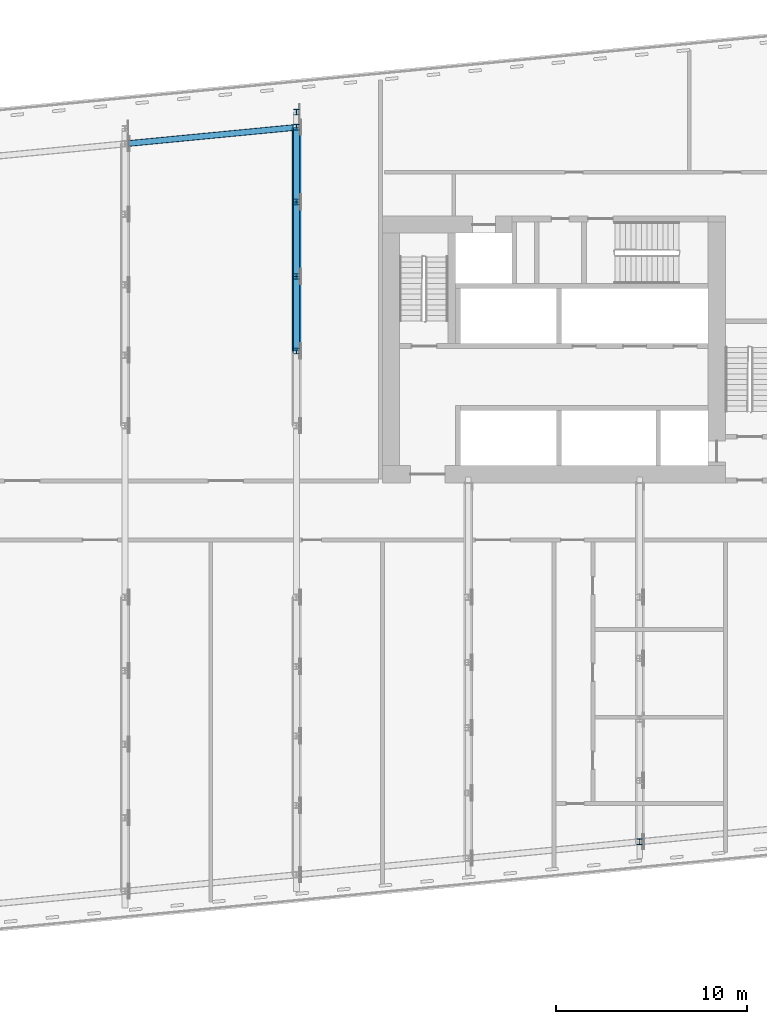
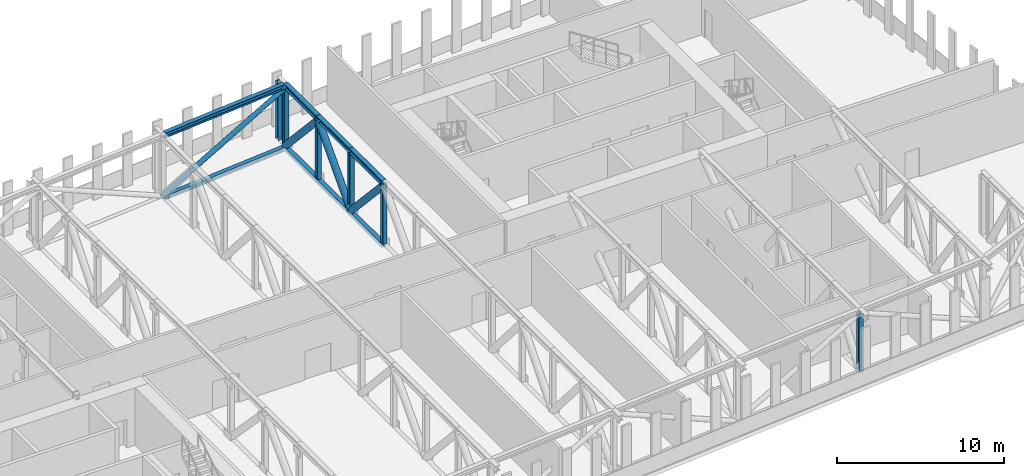
# One storey, part 5 of 22: 18 members.
"""IFC4 building model written with IfcOpenShell, lengths in metres."""

from ifc_helpers import new_model, si_unit, direction, frame, origin, origin_2d, place, context, subcontext, project, spatial, hollow_circle, i_section, extrude, material, material_profile, profile_set, type_object, element, save


model = new_model("IFC4")

# Units and contexts
model_context = context("Model", 3, precision=1e-05, world=origin(), true_north=direction((0.0, 1.0)))
body_context = subcontext(model_context, "Body", "Model", "MODEL_VIEW")
ifc_project = project(units=[si_unit("LENGTHUNIT", "METRE"), si_unit("AREAUNIT", "SQUARE_METRE"), si_unit("VOLUMEUNIT", "CUBIC_METRE"), si_unit("PLANEANGLEUNIT", "RADIAN"), si_unit("MASSUNIT", "GRAM", prefix="KILO")], contexts=[model_context])

# Site, building, storey
site_placement = place(None, origin())
site = spatial("IfcSite", under=ifc_project, at=site_placement, CompositionType="ELEMENT")
building_placement = place(site_placement, origin())
building = spatial("IfcBuilding", under=site, at=building_placement, Name="Kajstack Hotel Tower", CompositionType="ELEMENT")
storey_placement = place(building_placement, frame((0.0, 0.0, 150.39990234375)))
storey = spatial("IfcBuildingStorey", under=building, at=storey_placement, Name="L35", CompositionType="ELEMENT", Elevation=150.39990234375)

# Members
ifc_material = material(Name="Steel S355J2", Category="steel")
ifc_material_profile_1 = material_profile(ifc_material, i_section(OverallWidth=0.300048828125, OverallDepth=0.2900390625, WebThickness=0.008544921875, FlangeThickness=0.013916015625, FilletRadius=0.027099609375, at=origin_2d()), Name="HEA 300")
ifc_profile_set_1 = profile_set([ifc_material_profile_1], Name="Steel S355J2")
member_type_1 = type_object("IfcMemberType", Name="Belt truss bottom chord BB3 HEA 300", PredefinedType="CHORD", material=ifc_profile_set_1)
member_1_placement = place(storey_placement, frame((0.1494140625, 19.303955078125, -0.14501953125), z_axis=(0.995398174412, 0.095825228294, 0.0), x_axis=(-0.095825228294, 0.995398174412, 0.0)))
element("IfcMember", 1, at=member_1_placement, inside=storey, type_object=member_type_1, Name="S-belt-truss-L35-n05-b", PredefinedType="CHORD", context=body_context, shape_type="SweptSolid", body=[
    extrude(i_section(OverallWidth=0.300048828125, OverallDepth=0.2900390625, WebThickness=0.008544921875, FlangeThickness=0.013916015625, FilletRadius=0.027099609375, at=origin_2d()), origin(), (0.0, 0.0, 1.0), 8.741455078125),
])
ifc_material_profile_2 = material_profile(ifc_material, i_section(OverallWidth=0.300048828125, OverallDepth=0.2900390625, WebThickness=0.008544921875, FlangeThickness=0.013916015625, FilletRadius=0.027099609375, at=origin_2d()), Name="HEA 300")
ifc_profile_set_2 = profile_set([ifc_material_profile_2], Name="Steel S355J2")
member_type_2 = type_object("IfcMemberType", Name="Belt truss bottom chord BC3 HEA 300", PredefinedType="CHORD", material=ifc_profile_set_2)
member_2_placement = place(storey_placement, frame((9.0, 8.4140625, -0.14501953125), z_axis=(0.0, 1.0, 0.0), x_axis=(-1.0, 0.0, 0.0)))
element("IfcMember", 2, at=member_2_placement, inside=storey, type_object=member_type_2, Name="S-belt-truss-L35-+9p0-1-bc18", PredefinedType="CHORD", context=body_context, shape_type="SweptSolid", body=[
    extrude(i_section(OverallWidth=0.300048828125, OverallDepth=0.2900390625, WebThickness=0.008544921875, FlangeThickness=0.013916015625, FilletRadius=0.027099609375, at=origin_2d()), origin(), (0.0, 0.0, 1.0), 3.913818359375),
])
member_3_placement = place(storey_placement, frame((9.0, 12.327880859375, -0.14501953125), z_axis=(0.0, 1.0, 0.0), x_axis=(-1.0, 0.0, 0.0)))
element("IfcMember", 3, at=member_3_placement, inside=storey, type_object=member_type_2, Name="S-belt-truss-L35-+9p0-1-bc19", PredefinedType="CHORD", context=body_context, shape_type="SweptSolid", body=[
    extrude(i_section(OverallWidth=0.300048828125, OverallDepth=0.2900390625, WebThickness=0.008544921875, FlangeThickness=0.013916015625, FilletRadius=0.027099609375, at=origin_2d()), origin(), (0.0, 0.0, 1.0), 3.914306640625),
])
member_4_placement = place(storey_placement, frame((9.0, 16.2421875, -0.14501953125), z_axis=(0.0, 1.0, 0.0), x_axis=(-1.0, 0.0, 0.0)))
element("IfcMember", 4, at=member_4_placement, inside=storey, type_object=member_type_2, Name="S-belt-truss-L35-+9p0-1-bc20", PredefinedType="CHORD", context=body_context, shape_type="SweptSolid", body=[
    extrude(i_section(OverallWidth=0.300048828125, OverallDepth=0.2900390625, WebThickness=0.008544921875, FlangeThickness=0.013916015625, FilletRadius=0.027099609375, at=origin_2d()), origin(), (0.0, 0.0, 1.0), 3.913818359375),
])
ifc_material_profile_3 = material_profile(ifc_material, hollow_circle(Radius=0.161865234375, WallThickness=0.012451171875, at=origin_2d()), Name="CHS 323.9x12.5")
ifc_profile_set_3 = profile_set([ifc_material_profile_3], Name="Steel S355J2")
member_type_3 = type_object("IfcMemberType", Name="Belt truss diagonal BD3 CHS 323.9x12.5", PredefinedType="BRACE", material=ifc_profile_set_3)
member_5_placement = place(storey_placement, frame((0.0, 19.28955078125, 0.0), z_axis=(0.901225320661, 0.086763472847, 0.424576284286), x_axis=(-0.095829714309, 0.995397742541, 0.0)))
element("IfcMember", 5, at=member_5_placement, inside=storey, type_object=member_type_3, Name="S-belt-truss-L35-n05-d", PredefinedType="BRACE", context=body_context, shape_type="SweptSolid", body=[
    extrude(hollow_circle(Radius=0.161865234375, WallThickness=0.012451171875, at=origin_2d()), origin(), (0.0, 0.0, 1.0), 9.986328125),
])
ifc_material_profile_4 = material_profile(ifc_material, hollow_circle(Radius=0.228515625, WallThickness=0.02001953125, at=origin_2d()), Name="CHS 457x20")
ifc_profile_set_4 = profile_set([ifc_material_profile_4], Name="Steel S355J2")
member_type_4 = type_object("IfcMemberType", Name="Belt truss diagonal DG3 CHS 457x20", PredefinedType="BRACE", material=ifc_profile_set_4)
member_6_placement = place(storey_placement, frame((9.0, 12.327880859375, 0.0), z_axis=(0.0, -0.678278345429, 0.73480506675), x_axis=(1.0, 0.0, 0.0)))
element("IfcMember", 6, at=member_6_placement, inside=storey, type_object=member_type_4, Name="S-belt-truss-L35-+9p0-1-dg38", PredefinedType="BRACE", context=body_context, shape_type="SweptSolid", body=[
    extrude(hollow_circle(Radius=0.228515625, WallThickness=0.02001953125, at=origin_2d()), origin(), (0.0, 0.0, 1.0), 5.770263671875),
])
member_7_placement = place(storey_placement, frame((9.0, 12.327880859375, 0.0), z_axis=(0.0, 0.678324031544, 0.734762892524), x_axis=(-1.0, 0.0, 0.0)))
element("IfcMember", 7, at=member_7_placement, inside=storey, type_object=member_type_4, Name="S-belt-truss-L35-+9p0-1-dg39", PredefinedType="BRACE", context=body_context, shape_type="SweptSolid", body=[
    extrude(hollow_circle(Radius=0.228515625, WallThickness=0.02001953125, at=origin_2d()), origin(), (0.0, 0.0, 1.0), 5.7705078125),
])
member_8_placement = place(storey_placement, frame((9.0, 20.156005859375, 0.0), z_axis=(0.0, -0.678278345429, 0.73480506675), x_axis=(1.0, 0.0, 0.0)))
element("IfcMember", 8, at=member_8_placement, inside=storey, type_object=member_type_4, Name="S-belt-truss-L35-+9p0-1-dg40", PredefinedType="BRACE", context=body_context, shape_type="SweptSolid", body=[
    extrude(hollow_circle(Radius=0.228515625, WallThickness=0.02001953125, at=origin_2d()), origin(), (0.0, 0.0, 1.0), 5.770263671875),
])
ifc_material_profile_5 = material_profile(ifc_material, i_section(OverallWidth=0.300048828125, OverallDepth=0.300048828125, WebThickness=0.010986328125, FlangeThickness=0.01904296875, FilletRadius=0.027099609375, at=origin_2d()), Name="HEB 300")
ifc_profile_set_5 = profile_set([ifc_material_profile_5], Name="Steel S355J2")
member_type_5 = type_object("IfcMemberType", Name="Belt truss post PO3 HEB 300", PredefinedType="POST", material=ifc_profile_set_5)
for number, where, z_axis, x_axis, name in (
    (9, (9.0, 8.4140625, 0.0), (0.0, 0.0, 1.0), (1.0, 0.0, 0.0), "S-belt-truss-L35-+9p0-1-po28"),
    (10, (9.0, 12.327880859375, 0.0), (0.0, 0.0, 1.0), (1.0, 0.0, 0.0), "S-belt-truss-L35-+9p0-1-po29"),
    (11, (9.0, 16.2421875, 0.0), (0.0, 0.0, 1.0), (1.0, 0.0, 0.0), "S-belt-truss-L35-+9p0-1-po30"),
    (12, (9.0, 20.156005859375, 0.0), (0.0, 0.0, 1.0), (1.0, 0.0, 0.0), "S-belt-truss-L35-+9p0-1-po31"),
    (13, (9.0, 20.9560546875, 0.0), (0.0, 0.0, 1.0), (1.0, 0.0, 0.0), "S-belt-truss-L35-+9p0-1-po32"),
    (14, (27.0, -17.332763671875, 0.0), (0.0, 0.0, 1.0), (1.0, 0.0, 0.0), "S-outrigger-truss-L35-+27p0-1-po12"),
):
    element("IfcMember", number, at=place(storey_placement, frame(where, z_axis=z_axis, x_axis=x_axis)), inside=storey, type_object=member_type_5, Name=name, PredefinedType="POST", context=body_context, shape_type="SweptSolid", body=[
        extrude(i_section(OverallWidth=0.300048828125, OverallDepth=0.300048828125, WebThickness=0.010986328125, FlangeThickness=0.01904296875, FilletRadius=0.027099609375, at=origin_2d()), origin(), (0.0, 0.0, 1.0), 4.239990234375),
    ])
ifc_material_profile_6 = material_profile(ifc_material, i_section(OverallWidth=0.300048828125, OverallDepth=0.360107421875, WebThickness=0.012451171875, FlangeThickness=0.0224609375, FilletRadius=0.027099609375, at=origin_2d()), Name="HEB 360")
ifc_profile_set_6 = profile_set([ifc_material_profile_6], Name="Steel S355J2")
member_type_6 = type_object("IfcMemberType", Name="Belt truss top chord BT3 HEB 360", PredefinedType="CHORD", material=ifc_profile_set_6)
member_9_placement = place(storey_placement, frame((0.1494140625, 19.303955078125, 4.420166015625), z_axis=(0.995398174412, 0.095825228294, 0.0), x_axis=(-0.095825228294, 0.995398174412, 0.0)))
element("IfcMember", 15, at=member_9_placement, inside=storey, type_object=member_type_6, Name="S-belt-truss-L35-n05-t", PredefinedType="CHORD", context=body_context, shape_type="SweptSolid", body=[
    extrude(i_section(OverallWidth=0.300048828125, OverallDepth=0.360107421875, WebThickness=0.012451171875, FlangeThickness=0.0224609375, FilletRadius=0.027099609375, at=origin_2d()), origin(), (0.0, 0.0, 1.0), 8.741455078125),
])
ifc_material_profile_7 = material_profile(ifc_material, i_section(OverallWidth=0.300048828125, OverallDepth=0.360107421875, WebThickness=0.012451171875, FlangeThickness=0.0224609375, FilletRadius=0.027099609375, at=origin_2d()), Name="HEB 360")
ifc_profile_set_7 = profile_set([ifc_material_profile_7], Name="Steel S355J2")
member_type_7 = type_object("IfcMemberType", Name="Belt truss top chord TC3 HEB 360", PredefinedType="CHORD", material=ifc_profile_set_7)
member_10_placement = place(storey_placement, frame((9.0, 8.4140625, 4.420166015625), z_axis=(0.0, 1.0, 0.0), x_axis=(-1.0, 0.0, 0.0)))
element("IfcMember", 16, at=member_10_placement, inside=storey, type_object=member_type_7, Name="S-belt-truss-L35-+9p0-1-tc8", PredefinedType="CHORD", context=body_context, shape_type="SweptSolid", body=[
    extrude(i_section(OverallWidth=0.300048828125, OverallDepth=0.360107421875, WebThickness=0.012451171875, FlangeThickness=0.0224609375, FilletRadius=0.027099609375, at=origin_2d()), origin(), (0.0, 0.0, 1.0), 3.913818359375),
])
member_11_placement = place(storey_placement, frame((9.0, 12.327880859375, 4.420166015625), z_axis=(0.0, 1.0, 0.0), x_axis=(-1.0, 0.0, 0.0)))
element("IfcMember", 17, at=member_11_placement, inside=storey, type_object=member_type_7, Name="S-belt-truss-L35-+9p0-1-tc9", PredefinedType="CHORD", context=body_context, shape_type="SweptSolid", body=[
    extrude(i_section(OverallWidth=0.300048828125, OverallDepth=0.360107421875, WebThickness=0.012451171875, FlangeThickness=0.0224609375, FilletRadius=0.027099609375, at=origin_2d()), origin(), (0.0, 0.0, 1.0), 3.914306640625),
])
member_12_placement = place(storey_placement, frame((9.0, 16.2421875, 4.420166015625), z_axis=(0.0, 1.0, 0.0), x_axis=(-1.0, 0.0, 0.0)))
element("IfcMember", 18, at=member_12_placement, inside=storey, type_object=member_type_7, Name="S-belt-truss-L35-+9p0-1-tc10", PredefinedType="CHORD", context=body_context, shape_type="SweptSolid", body=[
    extrude(i_section(OverallWidth=0.300048828125, OverallDepth=0.360107421875, WebThickness=0.012451171875, FlangeThickness=0.0224609375, FilletRadius=0.027099609375, at=origin_2d()), origin(), (0.0, 0.0, 1.0), 3.913818359375),
])

save(model, "model.ifc")
